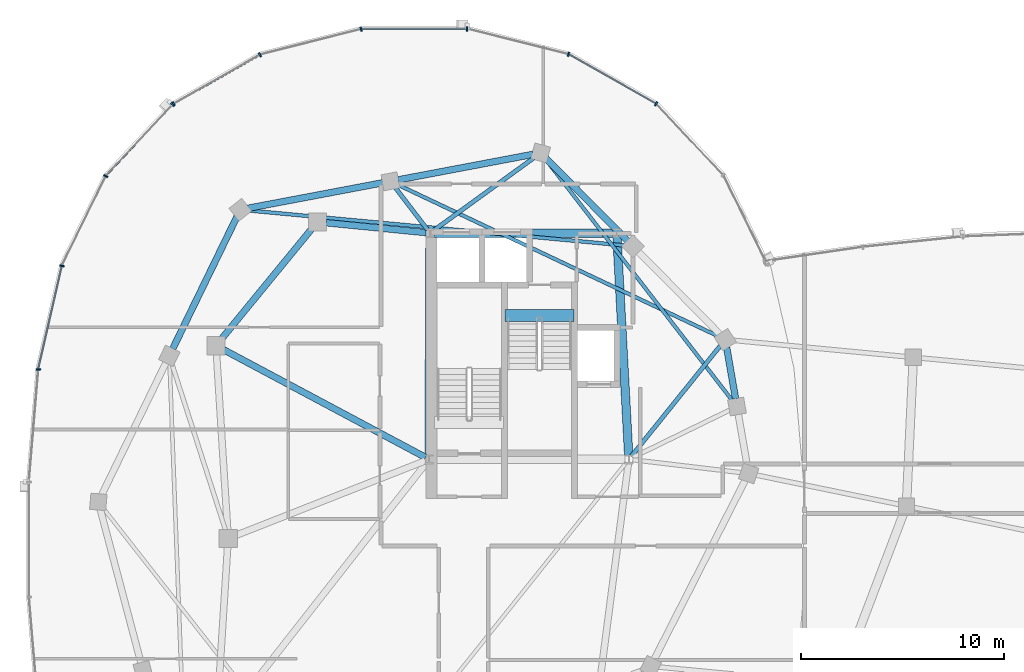
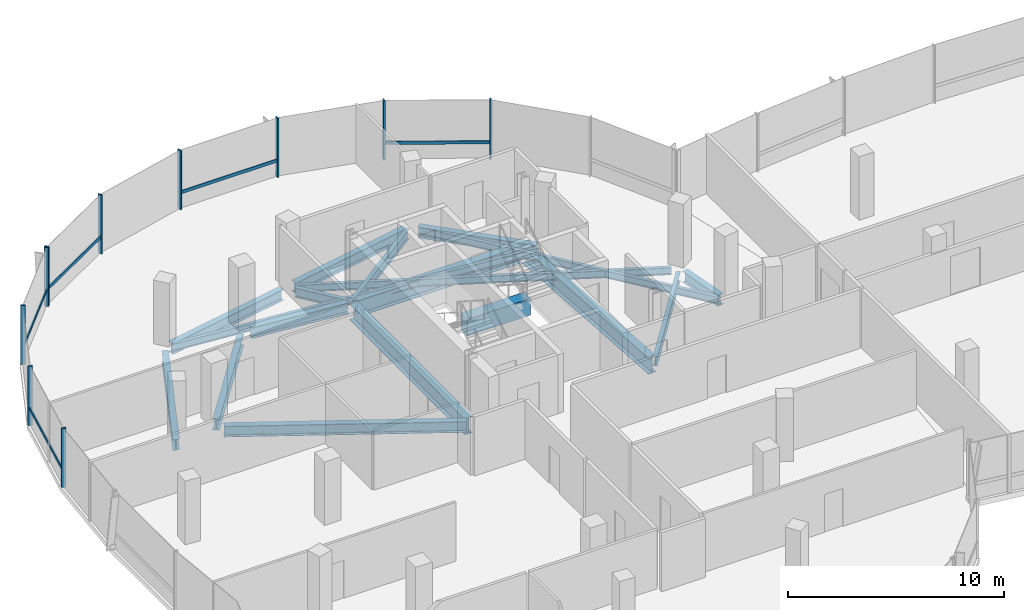
# One storey, part 6 of 25: 18 beams, 15 members, 2 elements without a shape of their own.
"""IFC4 building model written with IfcOpenShell, lengths in metres."""

from ifc_helpers import new_model, si_unit, direction, frame, origin, origin_2d, place, context, subcontext, project, spatial, rectangle, i_section, extrude, material, material_profile, profile_set, type_object, element, aggregate, save


model = new_model("IFC4")

# Units and contexts
model_context = context("Model", 3, precision=1e-05, world=origin(), true_north=direction((0.0, 1.0)))
body_context = subcontext(model_context, "Body", "Model", "MODEL_VIEW")
ifc_project = project(units=[si_unit("LENGTHUNIT", "METRE"), si_unit("AREAUNIT", "SQUARE_METRE"), si_unit("VOLUMEUNIT", "CUBIC_METRE"), si_unit("PLANEANGLEUNIT", "RADIAN"), si_unit("MASSUNIT", "GRAM", prefix="KILO"), si_unit("THERMODYNAMICTEMPERATUREUNIT", "KELVIN"), si_unit("POWERUNIT", "WATT")], contexts=[model_context])

# Site, building, storey
site_placement = place(None, origin())
site = spatial("IfcSite", under=ifc_project, at=site_placement, CompositionType="ELEMENT")
building_placement = place(site_placement, origin())
building = spatial("IfcBuilding", under=site, at=building_placement, Name="Cundina Bronze Exchange", CompositionType="ELEMENT")
storey_placement = place(building_placement, frame((0.0, 0.0, 246.800048828125)))
storey = spatial("IfcBuildingStorey", under=building, at=storey_placement, Name="L65", CompositionType="ELEMENT", Elevation=246.800048828125)

# Beams
ifc_material_1 = material(Name="Concrete C60/75", Category="concrete")
ifc_material_profile_1 = material_profile(ifc_material_1, rectangle(XDim=0.60009765625, YDim=0.949951171875, at=origin_2d()), Name="RC600X950", Category="concrete")
ifc_profile_set_1 = profile_set([ifc_material_profile_1], Name="Concrete C60/75")
beam_type_1 = type_object("IfcBeamType", Name="BM-COUP-RC950", PredefinedType="LINTEL", material=ifc_profile_set_1)
beam_1_placement = place(storey_placement, frame((-27.56005859375, 10.97998046875, -0.47509765625), z_axis=(1.0, 0.0, 0.0), x_axis=(0.0, 1.0, 0.0)))
element("IfcBeam", 1, at=beam_1_placement, inside=storey, type_object=beam_type_1, Name="L65 Stair W2 Landing Header Beam", PredefinedType="LINTEL", context=body_context, shape_type="SweptSolid", body=[
    extrude(rectangle(XDim=0.60009765625, YDim=0.949951171875, at=origin_2d()), origin(), (0.0, 0.0, 1.0), 3.400146484375),
])
ifc_material_2 = material(Name="Steel ASTM A992 Grade 50", Category="steel")
ifc_material_profile_2 = material_profile(ifc_material_2, i_section(OverallWidth=0.2119140625, OverallDepth=0.5439453125, WebThickness=0.01318359375, FlangeThickness=0.021240234375, FilletRadius=0.013916015625, at=origin_2d()), Name="W21X83", Category="steel")
ifc_profile_set_2 = profile_set([ifc_material_profile_2], Name="Steel ASTM A992 Grade 50")
beam_type_2 = type_object("IfcBeamType", Name="BM-FLR-W21A", PredefinedType="BEAM", material=ifc_profile_set_2)
beam_2_placement = place(storey_placement, frame((-21.3271484375, 4.052734375, -0.531982421875), z_axis=(0.627111236784, 0.778929712297, 0.0), x_axis=(-0.778929712297, 0.627111236784, 0.0)))
element("IfcBeam", 2, at=beam_2_placement, inside=storey, type_object=beam_type_2, Name="L65 Leg W Radial Floor Beam 02", PredefinedType="BEAM", context=body_context, shape_type="SweptSolid", body=[
    extrude(i_section(OverallWidth=0.2119140625, OverallDepth=0.5439453125, WebThickness=0.01318359375, FlangeThickness=0.021240234375, FilletRadius=0.013916015625, at=origin_2d()), origin(), (0.0, 0.0, 1.0), 6.990478515625),
])
beam_3_placement = place(storey_placement, frame((-31.09130859375, 15.1650390625, -0.531982421875), z_axis=(0.809701976545, 0.586841298119, 0.0), x_axis=(-0.586841298119, 0.809701976545, 0.0)))
element("IfcBeam", 3, at=beam_3_placement, inside=storey, type_object=beam_type_2, Name="L65 Leg W Radial Floor Beam 04", PredefinedType="BEAM", context=body_context, shape_type="SweptSolid", body=[
    extrude(i_section(OverallWidth=0.2119140625, OverallDepth=0.5439453125, WebThickness=0.01318359375, FlangeThickness=0.021240234375, FilletRadius=0.013916015625, at=origin_2d()), origin(), (0.0, 0.0, 1.0), 6.146728515625),
])
beam_4_placement = place(storey_placement, frame((-31.369140625, 15.205810546875, -0.531982421875), z_axis=(-0.607470812638, 0.794341999263, 0.0), x_axis=(-0.794341999263, -0.607470812638, 0.0)))
element("IfcBeam", 4, at=beam_4_placement, inside=storey, type_object=beam_type_2, Name="L65 Leg W Radial Floor Beam 05", PredefinedType="BEAM", context=body_context, shape_type="SweptSolid", body=[
    extrude(i_section(OverallWidth=0.2119140625, OverallDepth=0.5439453125, WebThickness=0.01318359375, FlangeThickness=0.021240234375, FilletRadius=0.013916015625, at=origin_2d()), origin(), (0.0, 0.0, 1.0), 2.6259765625),
])
ifc_material_profile_3 = material_profile(ifc_material_2, i_section(OverallWidth=0.178955078125, OverallDepth=0.409912109375, WebThickness=0.0087890625, FlangeThickness=0.014404296875, FilletRadius=0.010986328125, at=origin_2d()), Name="W16X45", Category="steel")
ifc_profile_set_3 = profile_set([ifc_material_profile_3], Name="Steel ASTM A992 Grade 50")
beam_type_3 = type_object("IfcBeamType", Name="BM-JST-W16", PredefinedType="JOIST", material=ifc_profile_set_3)
beam_5_placement = place(storey_placement, frame((-16.362548828125, 6.806884765625, -0.465087890625), z_axis=(-0.612077855816, 0.790797507849, 0.0), x_axis=(-0.790797507849, -0.612077855816, 0.0)))
element("IfcBeam", 5, at=beam_5_placement, inside=storey, type_object=beam_type_3, Name="L65 Leg W Lobe Floor Joist 01-04", PredefinedType="JOIST", context=body_context, shape_type="SweptSolid", body=[
    extrude(i_section(OverallWidth=0.178955078125, OverallDepth=0.409912109375, WebThickness=0.0087890625, FlangeThickness=0.014404296875, FilletRadius=0.010986328125, at=origin_2d()), origin(), (0.0, 0.0, 1.0), 15.03076171875),
])
beam_6_placement = place(storey_placement, frame((-17.05078125, 9.9658203125, -0.465087890625), z_axis=(-0.904073247994, 0.427377540661, 0.0), x_axis=(-0.427377540661, -0.904073247994, 0.0)))
element("IfcBeam", 6, at=beam_6_placement, inside=storey, type_object=beam_type_3, Name="L65 Leg W Lobe Floor Joist 02-05", PredefinedType="JOIST", context=body_context, shape_type="SweptSolid", body=[
    extrude(i_section(OverallWidth=0.178955078125, OverallDepth=0.409912109375, WebThickness=0.0087890625, FlangeThickness=0.014404296875, FilletRadius=0.010986328125, at=origin_2d()), origin(), (0.0, 0.0, 1.0), 17.474609375),
])
beam_7_placement = place(storey_placement, frame((-21.63623046875, 14.435791015625, -0.465087890625), z_axis=(-0.995700514338, 0.092630911398, 0.0), x_axis=(-0.092630911398, -0.995700514338, 0.0)))
element("IfcBeam", 7, at=beam_7_placement, inside=storey, type_object=beam_type_3, Name="L65 Leg W Lobe Floor Joist 03-06", PredefinedType="JOIST", context=body_context, shape_type="SweptSolid", body=[
    extrude(i_section(OverallWidth=0.178955078125, OverallDepth=0.409912109375, WebThickness=0.0087890625, FlangeThickness=0.014404296875, FilletRadius=0.010986328125, at=origin_2d()), origin(), (0.0, 0.0, 1.0), 18.65771484375),
])
ifc_material_profile_4 = material_profile(ifc_material_2, i_section(OverallWidth=0.324951171875, OverallDepth=0.615966796875, WebThickness=0.013916015625, FlangeThickness=0.021484375, FilletRadius=0.01611328125, at=origin_2d()), Name="W24X117", Category="steel")
ifc_profile_set_4 = profile_set([ifc_material_profile_4], Name="Steel ASTM A992 Grade 50")
beam_type_4 = type_object("IfcBeamType", Name="BM-RING-W24", PredefinedType="USERDEFINED", material=ifc_profile_set_4)
beam_8_placement = place(storey_placement, frame((-31.445068359375, 15.0693359375, -0.568115234375), z_axis=(-0.995123854478, 0.09863323096, 0.0), x_axis=(-0.09863323096, -0.995123854478, 0.0)))
element("IfcBeam", 8, at=beam_8_placement, inside=storey, type_object=beam_type_4, Name="L65 W Inner Structural Ring Girder 01", ObjectType="GIRDER", PredefinedType="USERDEFINED", context=body_context, shape_type="SweptSolid", body=[
    extrude(i_section(OverallWidth=0.324951171875, OverallDepth=0.615966796875, WebThickness=0.013916015625, FlangeThickness=0.021484375, FilletRadius=0.01611328125, at=origin_2d()), origin(), (0.0, 0.0, 1.0), 4.943115234375),
])
beam_9_placement = place(storey_placement, frame((-37.07763671875, 15.26123046875, -0.568115234375), z_axis=(-0.633912590175, -0.77340469873, 0.0), x_axis=(0.77340469873, -0.633912590175, 0.0)))
element("IfcBeam", 9, at=beam_9_placement, inside=storey, type_object=beam_type_4, Name="L65 W Inner Structural Ring Girder 02", ObjectType="GIRDER", PredefinedType="USERDEFINED", context=body_context, shape_type="SweptSolid", body=[
    extrude(i_section(OverallWidth=0.324951171875, OverallDepth=0.615966796875, WebThickness=0.013916015625, FlangeThickness=0.021484375, FilletRadius=0.01611328125, at=origin_2d()), origin(), (0.0, 0.0, 1.0), 7.01123046875),
])
beam_10_placement = place(storey_placement, frame((-31.472900390625, 3.9921875, -0.568115234375), z_axis=(-0.882350541683, 0.470592734317, 0.0), x_axis=(-0.470592734317, -0.882350541683, 0.0)))
element("IfcBeam", 10, at=beam_10_placement, inside=storey, type_object=beam_type_4, Name="L65 W Core-to-Waist Tie Beam 2", ObjectType="GIRDER", PredefinedType="USERDEFINED", context=body_context, shape_type="SweptSolid", body=[
    extrude(i_section(OverallWidth=0.324951171875, OverallDepth=0.615966796875, WebThickness=0.013916015625, FlangeThickness=0.021484375, FilletRadius=0.01611328125, at=origin_2d()), origin(), (0.0, 0.0, 1.0), 11.26611328125),
])
beam_11_placement = place(storey_placement, frame((-16.191650390625, 6.882080078125, -0.568115234375), z_axis=(-0.171593362587, 0.985167862811, 0.0), x_axis=(-0.985167862811, -0.171593362587, 0.0)))
element("IfcBeam", 11, at=beam_11_placement, inside=storey, type_object=beam_type_4, Name="L65 W Perimeter Ring Girder 01", ObjectType="GIRDER", PredefinedType="USERDEFINED", context=body_context, shape_type="SweptSolid", body=[
    extrude(i_section(OverallWidth=0.324951171875, OverallDepth=0.615966796875, WebThickness=0.013916015625, FlangeThickness=0.021484375, FilletRadius=0.01611328125, at=origin_2d()), origin(), (0.0, 0.0, 1.0), 2.57373046875),
])
beam_12_placement = place(storey_placement, frame((-21.52294921875, 14.67578125, -0.568115234375), z_axis=(-0.703215820204, 0.710976448425, 0.0), x_axis=(-0.710976448425, -0.703215820204, 0.0)))
element("IfcBeam", 12, at=beam_12_placement, inside=storey, type_object=beam_type_4, Name="L65 W Perimeter Ring Girder 03", ObjectType="GIRDER", PredefinedType="USERDEFINED", context=body_context, shape_type="SweptSolid", body=[
    extrude(i_section(OverallWidth=0.324951171875, OverallDepth=0.615966796875, WebThickness=0.013916015625, FlangeThickness=0.021484375, FilletRadius=0.01611328125, at=origin_2d()), origin(), (0.0, 0.0, 1.0), 5.694091796875),
])
beam_13_placement = place(storey_placement, frame((-26.18115234375, 18.927978515625, -0.568115234375), z_axis=(-0.982568104771, -0.185902984072, 0.0), x_axis=(0.185902984072, -0.982568104771, 0.0)))
element("IfcBeam", 13, at=beam_13_placement, inside=storey, type_object=beam_type_4, Name="L65 W Perimeter Ring Girder 04", ObjectType="GIRDER", PredefinedType="USERDEFINED", context=body_context, shape_type="SweptSolid", body=[
    extrude(i_section(OverallWidth=0.324951171875, OverallDepth=0.615966796875, WebThickness=0.013916015625, FlangeThickness=0.021484375, FilletRadius=0.01611328125, at=origin_2d()), origin(), (0.0, 0.0, 1.0), 6.75537109375),
])
beam_14_placement = place(storey_placement, frame((-33.581298828125, 17.52783203125, -0.568115234375), z_axis=(-0.982573456977, -0.185874693392, 0.0), x_axis=(0.185874693392, -0.982573456977, 0.0)))
element("IfcBeam", 14, at=beam_14_placement, inside=storey, type_object=beam_type_4, Name="L65 W Perimeter Ring Girder 05", ObjectType="GIRDER", PredefinedType="USERDEFINED", context=body_context, shape_type="SweptSolid", body=[
    extrude(i_section(OverallWidth=0.324951171875, OverallDepth=0.615966796875, WebThickness=0.013916015625, FlangeThickness=0.021484375, FilletRadius=0.01611328125, at=origin_2d()), origin(), (0.0, 0.0, 1.0), 6.755126953125),
])
beam_15_placement = place(storey_placement, frame((-40.76953125, 15.85107421875, -0.568115234375), z_axis=(-0.437216986791, -0.899356050995, 0.0), x_axis=(0.899356050995, -0.437216986791, 0.0)))
element("IfcBeam", 15, at=beam_15_placement, inside=storey, type_object=beam_type_4, Name="L65 W Perimeter Ring Girder 06", ObjectType="GIRDER", PredefinedType="USERDEFINED", context=body_context, shape_type="SweptSolid", body=[
    extrude(i_section(OverallWidth=0.324951171875, OverallDepth=0.615966796875, WebThickness=0.013916015625, FlangeThickness=0.021484375, FilletRadius=0.01611328125, at=origin_2d()), origin(), (0.0, 0.0, 1.0), 7.2294921875),
])
ifc_material_profile_5 = material_profile(ifc_material_2, i_section(OverallWidth=0.41796875, OverallDepth=0.927001953125, WebThickness=0.019287109375, FlangeThickness=0.031982421875, FilletRadius=0.02392578125, at=origin_2d()), Name="W36X231", Category="steel")
ifc_profile_set_5 = profile_set([ifc_material_profile_5], Name="Steel ASTM A992 Grade 50")
beam_type_5 = type_object("IfcBeamType", Name="BM-WRN-W36B", PredefinedType="USERDEFINED", material=ifc_profile_set_5)
beam_16_placement = place(storey_placement, frame((-21.46044921875, 4.095703125, -0.7236328125), z_axis=(-0.053749317644, 0.998554460634, 0.0), x_axis=(-0.998554460634, -0.053749317644, 0.0)))
element("IfcBeam", 16, at=beam_16_placement, inside=storey, type_object=beam_type_5, Name="L65 W Core Perimeter Tie Girder 2", ObjectType="GIRDER", PredefinedType="USERDEFINED", context=body_context, shape_type="SweptSolid", body=[
    extrude(i_section(OverallWidth=0.41796875, OverallDepth=0.927001953125, WebThickness=0.019287109375, FlangeThickness=0.031982421875, FilletRadius=0.02392578125, at=origin_2d()), origin(), (0.0, 0.0, 1.0), 10.774169921875),
])
beam_17_placement = place(storey_placement, frame((-22.24609375, 15.050048828125, -0.7236328125), z_axis=(-1.0, 0.0, 0.0), x_axis=(0.0, -1.0, 0.0)))
element("IfcBeam", 17, at=beam_17_placement, inside=storey, type_object=beam_type_5, Name="L65 W Core Perimeter Tie Girder 3", ObjectType="GIRDER", PredefinedType="USERDEFINED", context=body_context, shape_type="SweptSolid", body=[
    extrude(i_section(OverallWidth=0.41796875, OverallDepth=0.927001953125, WebThickness=0.019287109375, FlangeThickness=0.031982421875, FilletRadius=0.02392578125, at=origin_2d()), origin(), (0.0, 0.0, 1.0), 8.807861328125),
])
beam_18_placement = place(storey_placement, frame((-31.2509765625, 14.85400390625, -0.7236328125), z_axis=(-0.004470623654, -0.999990006712, 0.0), x_axis=(0.999990006712, -0.004470623654, 0.0)))
element("IfcBeam", 18, at=beam_18_placement, inside=storey, type_object=beam_type_5, Name="L65 W Core Perimeter Tie Girder 4", ObjectType="GIRDER", PredefinedType="USERDEFINED", context=body_context, shape_type="SweptSolid", body=[
    extrude(i_section(OverallWidth=0.41796875, OverallDepth=0.927001953125, WebThickness=0.019287109375, FlangeThickness=0.031982421875, FilletRadius=0.02392578125, at=origin_2d()), origin(), (0.0, 0.0, 1.0), 10.758056640625),
])

# Curtain wall, members
ifc_material_3 = material(Name="Anodised Bronze Aluminium 6063-T6", Category="aluminium")
curtain_wall_type = type_object("IfcCurtainWallType", Name="CWS-SKG-BRG", PredefinedType="NOTDEFINED", material=ifc_material_3)
curtain_wall_1_placement = place(storey_placement, origin())
curtain_wall_1 = element("IfcCurtainWall", 19, at=curtain_wall_1_placement, inside=storey, type_object=curtain_wall_type, Name="L65 CW-06 Curtain Wall Run CWR-L65-W1", PredefinedType="NOTDEFINED")
ifc_material_profile_6 = material_profile(ifc_material_3, rectangle(XDim=0.074951171875, YDim=0.219970703125, at=origin_2d()), Name="AL75X220", Category="aluminium")
ifc_profile_set_6 = profile_set([ifc_material_profile_6], Name="Anodised Bronze Aluminium 6063-T6")
member_type_1 = type_object("IfcMemberType", Name="CWM-MUL-220", PredefinedType="MULLION", material=ifc_profile_set_6)
member_1_placement = place(storey_placement, frame((-20.11083984375, 21.419921875, 0.0), z_axis=(0.0, 0.0, 1.0), x_axis=(-0.86958112538, 0.493790103568, 0.0)))
member_1 = element("IfcMember", 20, at=member_1_placement, type_object=member_type_1, Name="CW-06 Mullion 3", PredefinedType="MULLION", context=body_context, shape_type="SweptSolid", body=[
    extrude(rectangle(XDim=0.074951171875, YDim=0.219970703125, at=origin_2d()), origin(), (0.0, 0.0, 1.0), 3.33984375),
])
member_2_placement = place(storey_placement, frame((-24.4296875, 23.86181640625, 0.0), z_axis=(0.0, 0.0, 1.0), x_axis=(-0.969744325821, 0.244122802168, 0.0)))
member_2 = element("IfcMember", 21, at=member_2_placement, type_object=member_type_1, Name="CW-06 Mullion 4", PredefinedType="MULLION", context=body_context, shape_type="SweptSolid", body=[
    extrude(rectangle(XDim=0.074951171875, YDim=0.219970703125, at=origin_2d()), origin(), (0.0, 0.0, 1.0), 3.33984375),
])
member_3_placement = place(storey_placement, frame((-29.423583984375, 25.110107421875, 0.0), z_axis=(0.0, 0.0, 1.0), x_axis=(-1.0, 0.0, 0.0)))
member_3 = element("IfcMember", 22, at=member_3_placement, type_object=member_type_1, Name="CW-06 Mullion 5", PredefinedType="MULLION", context=body_context, shape_type="SweptSolid", body=[
    extrude(rectangle(XDim=0.074951171875, YDim=0.219970703125, at=origin_2d()), origin(), (0.0, 0.0, 1.0), 3.33984375),
])
member_4_placement = place(storey_placement, frame((-34.648193359375, 25.10107421875, 0.0), z_axis=(0.0, 0.0, 1.0), x_axis=(-0.969744325821, -0.244122802168, 0.0)))
member_4 = element("IfcMember", 23, at=member_4_placement, type_object=member_type_1, Name="CW-06 Mullion 6", PredefinedType="MULLION", context=body_context, shape_type="SweptSolid", body=[
    extrude(rectangle(XDim=0.074951171875, YDim=0.219970703125, at=origin_2d()), origin(), (0.0, 0.0, 1.0), 3.33984375),
])
member_5_placement = place(storey_placement, frame((-39.634521484375, 23.8359375, 0.0), z_axis=(0.0, 0.0, 1.0), x_axis=(-0.86958112538, -0.493790103568, 0.0)))
member_5 = element("IfcMember", 24, at=member_5_placement, type_object=member_type_1, Name="CW-06 Mullion 7", PredefinedType="MULLION", context=body_context, shape_type="SweptSolid", body=[
    extrude(rectangle(XDim=0.074951171875, YDim=0.219970703125, at=origin_2d()), origin(), (0.0, 0.0, 1.0), 3.33984375),
])
member_6_placement = place(storey_placement, frame((-43.88916015625, 21.419921875, 0.0), z_axis=(0.0, 0.0, 1.0), x_axis=(-0.86958112538, -0.493790103568, 0.0)))
member_6 = element("IfcMember", 25, at=member_6_placement, type_object=member_type_1, Name="CW-06 End Mullion", PredefinedType="MULLION", context=body_context, shape_type="SweptSolid", body=[
    extrude(rectangle(XDim=0.074951171875, YDim=0.219970703125, at=origin_2d()), origin(), (0.0, 0.0, 1.0), 3.33984375),
])

curtain_wall_2_placement = place(storey_placement, origin())
curtain_wall_2 = element("IfcCurtainWall", 26, at=curtain_wall_2_placement, inside=storey, type_object=curtain_wall_type, Name="L65 CW-06 Curtain Wall Run CWR-L65-W2", PredefinedType="NOTDEFINED")
member_7_placement = place(storey_placement, frame((-43.940185546875, 21.3798828125, 0.0), z_axis=(0.0, 0.0, 1.0), x_axis=(-0.684292606175, -0.729207535023, 0.0)))
member_7 = element("IfcMember", 27, at=member_7_placement, type_object=member_type_1, Name="CW-06 Mullion 1", PredefinedType="MULLION", context=body_context, shape_type="SweptSolid", body=[
    extrude(rectangle(XDim=0.074951171875, YDim=0.219970703125, at=origin_2d()), origin(), (0.0, 0.0, 1.0), 3.33984375),
])
member_8_placement = place(storey_placement, frame((-47.2333984375, 17.856689453125, 0.0), z_axis=(0.0, 0.0, 1.0), x_axis=(-0.440566004113, -0.897720221461, 0.0)))
member_8 = element("IfcMember", 28, at=member_8_placement, type_object=member_type_1, Name="CW-06 Mullion 2", PredefinedType="MULLION", context=body_context, shape_type="SweptSolid", body=[
    extrude(rectangle(XDim=0.074951171875, YDim=0.219970703125, at=origin_2d()), origin(), (0.0, 0.0, 1.0), 3.33984375),
])
member_9_placement = place(storey_placement, frame((-49.39404296875, 13.433837890625, 0.0), z_axis=(0.0, 0.0, 1.0), x_axis=(-0.223250116011, -0.974761194191, 0.0)))
member_9 = element("IfcMember", 29, at=member_9_placement, type_object=member_type_1, Name="CW-06 Mullion 3", PredefinedType="MULLION", context=body_context, shape_type="SweptSolid", body=[
    extrude(rectangle(XDim=0.074951171875, YDim=0.219970703125, at=origin_2d()), origin(), (0.0, 0.0, 1.0), 3.33984375),
])
member_10_placement = place(storey_placement, frame((-50.557861328125, 8.32568359375, 0.0), z_axis=(0.0, 0.0, 1.0), x_axis=(-0.083677843332, -0.99649285925, 0.0)))
member_10 = element("IfcMember", 30, at=member_10_placement, type_object=member_type_1, Name="CW-06 Mullion 4", PredefinedType="MULLION", context=body_context, shape_type="SweptSolid", body=[
    extrude(rectangle(XDim=0.074951171875, YDim=0.219970703125, at=origin_2d()), origin(), (0.0, 0.0, 1.0), 3.33984375),
])

# Member
ifc_material_profile_7 = material_profile(ifc_material_3, rectangle(XDim=0.070068359375, YDim=0.179931640625, at=origin_2d()), Name="AL70X180", Category="aluminium")
ifc_profile_set_7 = profile_set([ifc_material_profile_7], Name="Anodised Bronze Aluminium 6063-T6")
member_type_2 = type_object("IfcMemberType", Name="CWM-TRN-180", PredefinedType="USERDEFINED", material=ifc_profile_set_7)
member_11_placement = place(storey_placement, frame((-20.146728515625, 21.440185546875, 0.919921875), z_axis=(-0.869557366176, 0.493831941989, 0.0), x_axis=(-0.493831941989, -0.869557366176, 0.0)))
member_11 = element("IfcMember", 31, at=member_11_placement, type_object=member_type_2, Name="CW-06 Spandrel Transom 3", ObjectType="TRANSOM", PredefinedType="USERDEFINED", context=body_context, shape_type="SweptSolid", body=[
    extrude(rectangle(XDim=0.070068359375, YDim=0.179931640625, at=origin_2d()), origin(), (0.0, 0.0, 1.0), 4.892822265625),
])

member_12_placement = place(storey_placement, frame((-29.464599609375, 25.110107421875, 0.919921875), z_axis=(-1.0, 0.0, 0.0), x_axis=(0.0, -1.0, 0.0)))
member_12 = element("IfcMember", 32, at=member_12_placement, type_object=member_type_2, Name="CW-06 Spandrel Transom 5", ObjectType="TRANSOM", PredefinedType="USERDEFINED", context=body_context, shape_type="SweptSolid", body=[
    extrude(rectangle(XDim=0.070068359375, YDim=0.179931640625, at=origin_2d()), origin(), (0.0, 0.0, 1.0), 5.1533203125),
])

member_13_placement = place(storey_placement, frame((-39.67041015625, 23.815673828125, 0.919921875), z_axis=(-0.869558105282, -0.493830640542, 0.0), x_axis=(0.493830640542, -0.869558105282, 0.0)))
member_13 = element("IfcMember", 33, at=member_13_placement, type_object=member_type_2, Name="CW-06 Spandrel Transom 7", ObjectType="TRANSOM", PredefinedType="USERDEFINED", context=body_context, shape_type="SweptSolid", body=[
    extrude(rectangle(XDim=0.070068359375, YDim=0.179931640625, at=origin_2d()), origin(), (0.0, 0.0, 1.0), 4.810302734375),
])

aggregate(curtain_wall_1, [member_1, member_11, member_2, member_3, member_12, member_4, member_5, member_6, member_13])

member_14_placement = place(storey_placement, frame((-43.968505859375, 21.349609375, 0.919921875), z_axis=(-0.684328474899, -0.729173873944, 0.0), x_axis=(0.729173873944, -0.684328474899, 0.0)))
member_14 = element("IfcMember", 34, at=member_14_placement, type_object=member_type_2, Name="CW-06 Spandrel Transom 1", ObjectType="TRANSOM", PredefinedType="USERDEFINED", context=body_context, shape_type="SweptSolid", body=[
    extrude(rectangle(XDim=0.070068359375, YDim=0.179931640625, at=origin_2d()), origin(), (0.0, 0.0, 1.0), 4.758056640625),
])

member_15_placement = place(storey_placement, frame((-49.4033203125, 13.3935546875, 0.919921875), z_axis=(-0.223257048806, -0.974759606343, 0.0), x_axis=(0.974759606343, -0.223257048806, 0.0)))
member_15 = element("IfcMember", 35, at=member_15_placement, type_object=member_type_2, Name="CW-06 Spandrel Transom 3", ObjectType="TRANSOM", PredefinedType="USERDEFINED", context=body_context, shape_type="SweptSolid", body=[
    extrude(rectangle(XDim=0.070068359375, YDim=0.179931640625, at=origin_2d()), origin(), (0.0, 0.0, 1.0), 5.15283203125),
])

aggregate(curtain_wall_2, [member_7, member_14, member_8, member_9, member_15, member_10])

save(model, "model.ifc")
